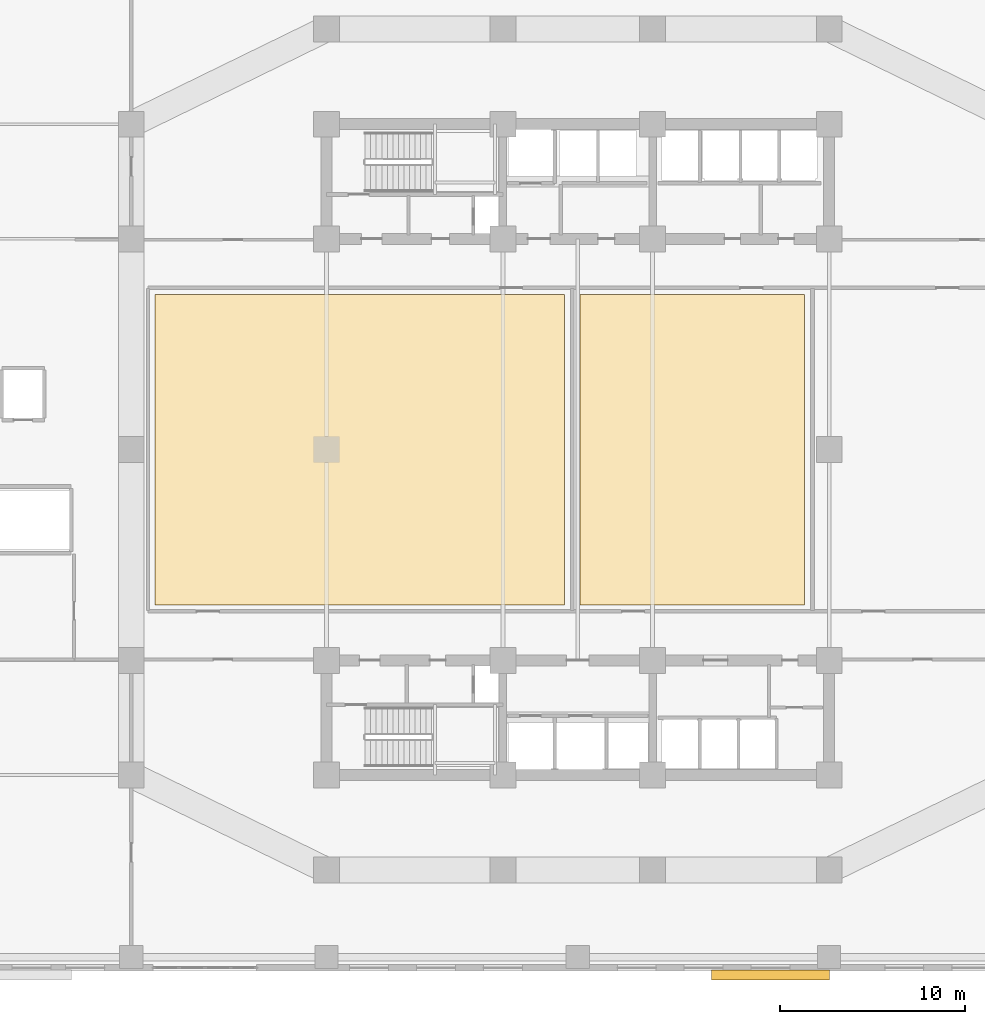
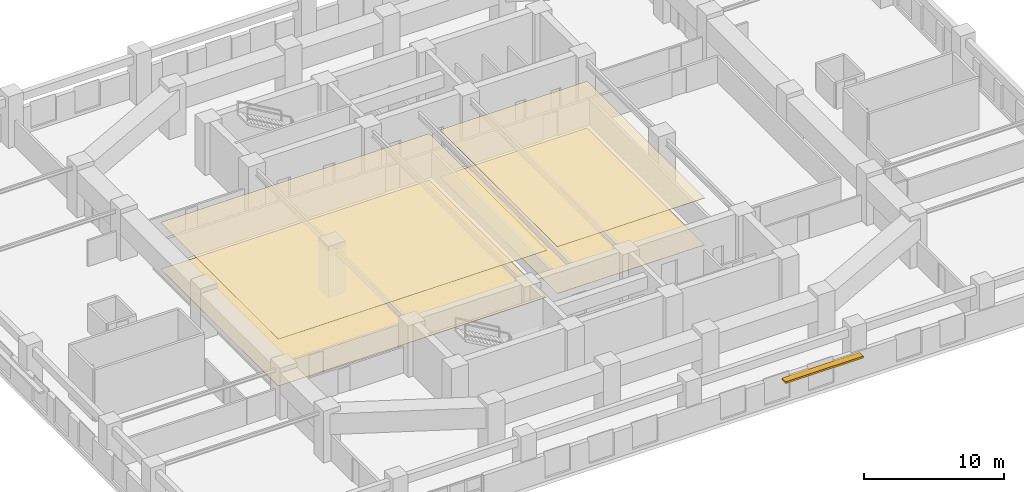
# One storey, part 12 of 13: 4 coverings, 1 shading device.
"""IFC4 building model written with IfcOpenShell, lengths in metres."""

from ifc_helpers import new_model, si_unit, direction, frame, origin, origin_2d, place, context, subcontext, project, spatial, polyline, rectangle, outline, extrude, material, layer, layer_set, type_object, element, save


model = new_model("IFC4")

# Units and contexts
model_context = context("Model", 3, precision=1e-05, world=origin(), true_north=direction((0.0, 1.0)))
body_context = subcontext(model_context, "Body", "Model", "MODEL_VIEW")
ifc_project = project(units=[si_unit("LENGTHUNIT", "METRE"), si_unit("AREAUNIT", "SQUARE_METRE"), si_unit("VOLUMEUNIT", "CUBIC_METRE"), si_unit("PLANEANGLEUNIT", "RADIAN"), si_unit("MASSUNIT", "GRAM", prefix="KILO")], contexts=[model_context])

# Site, building, storey
site_placement = place(None, origin())
site = spatial("IfcSite", under=ifc_project, at=site_placement, CompositionType="ELEMENT")
building_placement = place(site_placement, origin())
building = spatial("IfcBuilding", under=site, at=building_placement, Name="Svetorya Sky Lyceum", CompositionType="ELEMENT")
storey_placement = place(building_placement, frame((0.0, 0.0, 20.10009765625)))
storey = spatial("IfcBuildingStorey", under=building, at=storey_placement, Name="L04", CompositionType="ELEMENT", Elevation=20.10009765625)

# Coverings
ifc_material_1 = material(Name="Mineral-fibre classroom acoustic ceiling tile")
ifc_layer_1 = layer(ifc_material_1, 0.02392578125)
ifc_layer_set_1 = layer_set([ifc_layer_1], Name="Mineral-fibre classroom acoustic ceiling tile")
covering_type_1 = type_object("IfcCoveringType", Name="COV-CLG-AC24", PredefinedType="CEILING", material=ifc_layer_set_1)
covering_1_placement = place(storey_placement, frame((0.0, 0.0, 4.075927734375)))
element("IfcCovering", 1, at=covering_1_placement, inside=storey, type_object=covering_type_1, Name="Library and Reading Hall Acoustic Ceiling", PredefinedType="CEILING", context=body_context, shape_type="SweptSolid", body=[
    extrude(outline(polyline([(16.330078125, 19.800048828125), (38.469970703125, 19.800048828125), (38.469970703125, 36.60009765625), (16.330078125, 36.60009765625), (16.330078125, 19.800048828125)])), origin(), (0.0, 0.0, 1.0), 0.02392578125),
])
covering_2_placement = place(storey_placement, frame((0.0, 0.0, 4.075927734375)))
element("IfcCovering", 2, at=covering_2_placement, inside=storey, type_object=covering_type_1, Name="Workshop Astronomy Media Acoustic Ceiling", PredefinedType="CEILING", context=body_context, shape_type="SweptSolid", body=[
    extrude(outline(polyline([(39.330078125, 19.800048828125), (51.469970703125, 19.800048828125), (51.469970703125, 36.60009765625), (39.330078125, 36.60009765625), (39.330078125, 19.800048828125)])), origin(), (0.0, 0.0, 1.0), 0.02392578125),
])
ifc_material_2 = material(Name="Engineered Nordic oak parquet flooring")
ifc_layer_2 = layer(ifc_material_2, 0.02197265625)
ifc_layer_set_2 = layer_set([ifc_layer_2], Name="Engineered Nordic oak parquet flooring")
covering_type_2 = type_object("IfcCoveringType", Name="COV-FLR-OAK", PredefinedType="FLOORING", material=ifc_layer_set_2)
covering_3_placement = place(storey_placement, origin())
element("IfcCovering", 3, at=covering_3_placement, inside=storey, type_object=covering_type_2, Name="Library and Reading Hall Architectural Flooring", PredefinedType="FLOORING", context=body_context, shape_type="SweptSolid", body=[
    extrude(outline(polyline([(16.330078125, 19.800048828125), (38.469970703125, 19.800048828125), (38.469970703125, 36.60009765625), (16.330078125, 36.60009765625), (16.330078125, 19.800048828125)])), origin(), (0.0, 0.0, 1.0), 0.02197265625),
])
covering_4_placement = place(storey_placement, origin())
element("IfcCovering", 4, at=covering_4_placement, inside=storey, type_object=covering_type_2, Name="Workshop Astronomy Media Architectural Flooring", PredefinedType="FLOORING", context=body_context, shape_type="SweptSolid", body=[
    extrude(outline(polyline([(39.330078125, 19.800048828125), (51.469970703125, 19.800048828125), (51.469970703125, 36.60009765625), (39.330078125, 36.60009765625), (39.330078125, 19.800048828125)])), origin(), (0.0, 0.0, 1.0), 0.02197265625),
])

# Shading device
ifc_material_3 = material(Name="Champagne-anodized extruded aluminium sunshade", Category="aluminium")
ifc_layer_3 = layer(ifc_material_3, 0.159912109375)
ifc_layer_set_3 = layer_set([ifc_layer_3], Name="Champagne-anodized extruded aluminium sunshade")
shading_device_type = type_object("IfcShadingDeviceType", Name="SHD-LVR-540", PredefinedType="AWNING", material=ifc_layer_set_3)
shading_device_placement = place(storey_placement, frame((49.625, -0.219970703125, 2.0), z_axis=(0.0, 0.0, 1.0), x_axis=(1.0, 0.0, 0.0)))
element("IfcShadingDevice", 5, at=shading_device_placement, inside=storey, type_object=shading_device_type, Name="L04 Solar Brise-Soleil SHD-1.6B", PredefinedType="AWNING", context=body_context, shape_type="SweptSolid", body=[
    extrude(rectangle(XDim=6.39990234375, YDim=0.5400390625, at=origin_2d()), origin(), (0.0, 0.0, 1.0), 0.159912109375),
])

save(model, "model.ifc")
